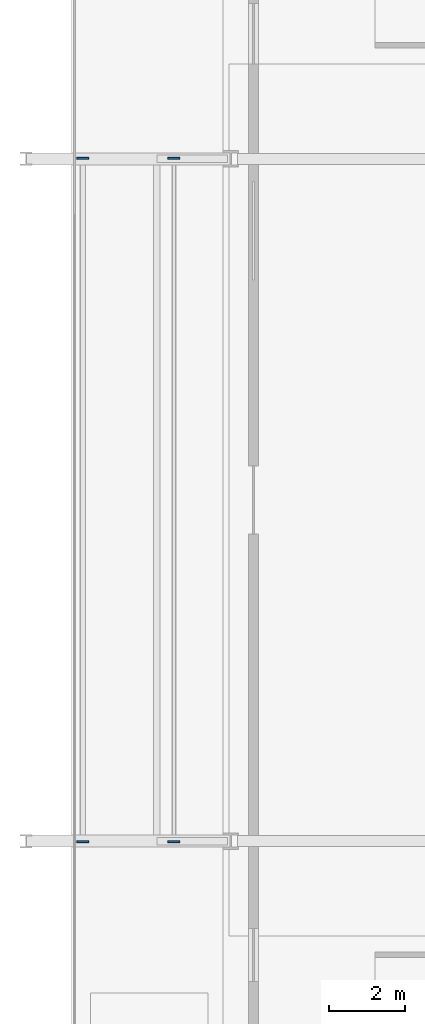
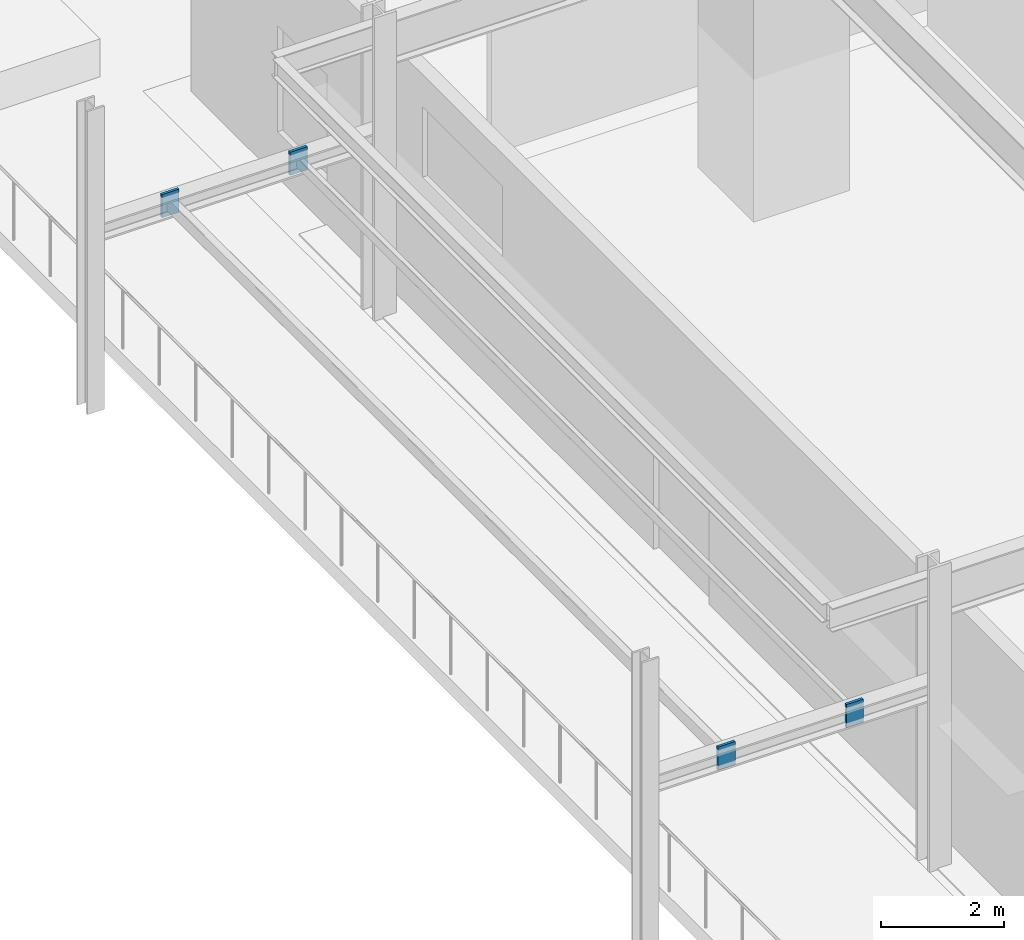
# One storey, part 4 of 14: 4 plates.
"""IFC4 building model written with IfcOpenShell, lengths in metres."""

import ifcopenshell
import ifcopenshell.guid

model = None  # the IFC model being written
_history = None  # IfcOwnerHistory: only IFC2X3 demands one
_inside = {}  # id of a spatial element -> (the spatial element, [elements in it])
_under = {}  # id of a project, library or spatial element -> (it, [spatial elements below it])
_declared = {}  # id of a project -> (the project, [libraries it declares])
_typed = {}  # id of a type object -> (the type object, [elements of that type])
_made_of = {}  # id of a material, layer set ... -> (it, [elements and type objects made of it])


def new_model(schema):
    """Start an empty IFC model of exactly this schema.

    Asked for "IFC4X3", IfcOpenShell would pick the latest addendum, in which some entities
    have other attributes; the version numbers below select the first issue.
    IFC2X3 requires an IfcOwnerHistory on every rooted entity: one is made here for all.
    """
    global model, _history
    if schema == "IFC4X3":
        model = ifcopenshell.file(schema_version=(4, 3, 0, 0))
    else:
        model = ifcopenshell.file(schema=schema)
    _inside.clear()
    _under.clear()
    _declared.clear()
    _typed.clear()
    _made_of.clear()
    _history = None
    if model.schema == "IFC2X3":
        org = make("IfcOrganization", Name="unknown")
        user = make(
            "IfcPersonAndOrganization",
            ThePerson=make("IfcPerson", FamilyName="unknown"),
            TheOrganization=org,
        )
        app = make(
            "IfcApplication",
            ApplicationDeveloper=org,
            Version="unknown",
            ApplicationFullName="unknown",
            ApplicationIdentifier="unknown",
        )
        _history = make(
            "IfcOwnerHistory",
            OwningUser=user,
            OwningApplication=app,
            ChangeAction="ADDED",
            CreationDate=0,
        )
    return model


def make(cls, **values):
    """One entity of the class cls with the attributes given. An attribute that is None is left unset."""
    return model.create_entity(
        cls, **{name: value for name, value in values.items() if value is not None}
    )


def rooted(cls, **values):
    """An entity with a GlobalId (a new one), such as an element, a storey or a relation."""
    return make(cls, GlobalId=ifcopenshell.guid.new(), OwnerHistory=_history, **values)


def si_unit(unit_type, name, prefix=None):
    """IfcSIUnit, for example si_unit("LENGTHUNIT", "METRE", prefix="MILLI")."""
    return make("IfcSIUnit", UnitType=unit_type, Prefix=prefix, Name=name)


def assignment(units):
    """IfcUnitAssignment: the units of a project."""
    return None if units is None else make("IfcUnitAssignment", Units=units)


def point(xyz):
    """IfcCartesianPoint."""
    return None if xyz is None else make("IfcCartesianPoint", Coordinates=xyz)


def direction(xyz):
    """IfcDirection."""
    return None if xyz is None else make("IfcDirection", DirectionRatios=xyz)


def frame(location, z_axis=None, x_axis=None):
    """IfcAxis2Placement3D, a coordinate frame: its origin and axes. An axis left out is left unset."""
    return make(
        "IfcAxis2Placement3D",
        Location=point(location),
        Axis=direction(z_axis),
        RefDirection=direction(x_axis),
    )


def frame_2d(location, x_axis=None):
    """IfcAxis2Placement2D, a coordinate frame in the plane: its origin and x axis."""
    return make(
        "IfcAxis2Placement2D", Location=point(location), RefDirection=direction(x_axis)
    )


def origin():
    """The frame at (0, 0, 0) with its axes left unset."""
    return frame((0.0, 0.0, 0.0))


def origin_2d():
    """The frame at (0, 0) in the plane with its x axis left unset."""
    return frame_2d((0.0, 0.0))


def place(relative_to, where):
    """IfcLocalPlacement: puts the frame where relative to a parent placement (None: the world)."""
    return make(
        "IfcLocalPlacement", PlacementRelTo=relative_to, RelativePlacement=where
    )


def context(
    kind, dimensions, precision=None, world=None, true_north=None, identifier=None
):
    """IfcGeometricRepresentationContext, for example the 3D "Model" context."""
    return make(
        "IfcGeometricRepresentationContext",
        ContextIdentifier=identifier,
        ContextType=kind,
        CoordinateSpaceDimension=dimensions,
        Precision=precision,
        WorldCoordinateSystem=world,
        TrueNorth=true_north,
    )


def subcontext(parent, identifier, kind, view, scale=None):
    """IfcGeometricRepresentationSubContext, for example "Body" below "Model"."""
    return make(
        "IfcGeometricRepresentationSubContext",
        ContextIdentifier=identifier,
        ContextType=kind,
        ParentContext=parent,
        TargetScale=scale,
        TargetView=view,
    )


def project(units=None, contexts=None):
    """IfcProject with its units and contexts."""
    return rooted(
        "IfcProject",
        Name="project",
        RepresentationContexts=contexts,
        UnitsInContext=assignment(units),
    )


def spatial(cls, under=None, at=None, **own):
    """A site, building, storey or space (cls), placed at a placement, below another one or the project."""
    s = rooted(cls, ObjectPlacement=at, **own)
    if under is not None:
        _under.setdefault(under.id(), (under, []))[1].append(s)
    return s


def profile(cls, at=None, kind="AREA", **sizes):
    """A parametric profile (cls). Its sizes go by their IFC names, for example OverallWidth=200.0."""
    return make(cls, ProfileType=kind, Position=at, **sizes)


def rectangle(**sizes):
    """IfcRectangleProfileDef."""
    return profile("IfcRectangleProfileDef", **sizes)


def extrude(swept, where, along, depth):
    """IfcExtrudedAreaSolid: the profile swept, set in the frame where, extruded along a direction by depth."""
    return make(
        "IfcExtrudedAreaSolid",
        SweptArea=swept,
        Position=where,
        ExtrudedDirection=direction(along),
        Depth=depth,
    )


def shape(context_of_items, identifier, shape_type, items):
    """IfcShapeRepresentation: the items that make up one representation, for example the "Body"."""
    return make(
        "IfcShapeRepresentation",
        ContextOfItems=context_of_items,
        RepresentationIdentifier=identifier,
        RepresentationType=shape_type,
        Items=items,
    )


def material(Name=None, Category=None):
    """IfcMaterial."""
    return make("IfcMaterial", Name=Name, Category=Category)


def layer(
    of_material, thickness, ventilated=None, Name=None, Category=None, Priority=None
):
    """IfcMaterialLayer: one layer of a wall or slab, of a material (None: an air gap)."""
    return make(
        "IfcMaterialLayer",
        Material=of_material,
        LayerThickness=thickness,
        IsVentilated=ventilated,
        Name=Name,
        Category=Category,
        Priority=Priority,
    )


def layer_set(layers, Name=None):
    """IfcMaterialLayerSet."""
    return make("IfcMaterialLayerSet", MaterialLayers=layers, LayerSetName=Name)


def made_of(thing, what):
    """Note that an element or type object is made of a material, layer set ...; save() writes the relation."""
    if what is not None:
        _made_of.setdefault(what.id(), (what, []))[1].append(thing)
    return thing


def type_object(cls, material=None, **own):
    """A type object (cls), such as IfcWallType, which elements share."""
    return made_of(rooted(cls, **own), material)


def element(
    cls,
    number,
    at=None,
    inside=None,
    cuts=None,
    type_object=None,
    material=None,
    context=None,
    identifier="Body",
    shape_type=None,
    held_by="IfcProductDefinitionShape",
    body=None,
    shapes=None,
    **own,
):
    """One element of the class cls, such as IfcWall. Its Tag is "e" and its number.

    at: its placement. inside: the storey or other place that contains it. cuts: it is an
    opening in that element (IfcRelVoidsElement). A single representation is given by context,
    identifier, shape_type and body (its items); several are given by shapes. held_by: the class
    of the entity that holds the representations. save() writes the other relations.
    """
    e = rooted(cls, Tag="e%d" % number, ObjectPlacement=at, **own)
    if body is not None:
        shapes = [shape(context, identifier, shape_type, body)]
    if shapes is not None:
        e.Representation = make(held_by, Representations=shapes)
    if inside is not None:
        _inside.setdefault(inside.id(), (inside, []))[1].append(e)
    if cuts is not None:
        rooted(
            "IfcRelVoidsElement", RelatingBuildingElement=cuts, RelatedOpeningElement=e
        )
    if type_object is not None:
        _typed.setdefault(type_object.id(), (type_object, []))[1].append(e)
    return made_of(e, material)


def aggregate(whole, parts):
    """IfcRelAggregates: a whole, such as a stair, and the parts it consists of."""
    return rooted("IfcRelAggregates", RelatingObject=whole, RelatedObjects=parts)


def save(model, path):
    """Write the relations noted so far, then the file.

    IfcRelAggregates (storeys below a building ...), IfcRelContainedInSpatialStructure (elements
    in a storey), IfcRelDefinesByType, IfcRelAssociatesMaterial and IfcRelDeclares: one each for
    every whole, place, type object, material and project.
    """
    for whole, parts in _under.values():
        aggregate(whole, parts)
    for where, things in _inside.values():
        rooted(
            "IfcRelContainedInSpatialStructure",
            RelatedElements=things,
            RelatingStructure=where,
        )
    for kind, things in _typed.values():
        rooted("IfcRelDefinesByType", RelatedObjects=things, RelatingType=kind)
    for what, things in _made_of.values():
        rooted("IfcRelAssociatesMaterial", RelatedObjects=things, RelatingMaterial=what)
    for by, libraries in _declared.values():
        rooted("IfcRelDeclares", RelatingContext=by, RelatedDefinitions=libraries)
    model.write(path)


model = new_model("IFC4")

# Units and contexts
model_context = context("Model", 3, precision=1e-05, world=origin(), true_north=direction((0.0, 1.0)))
body_context = subcontext(model_context, "Body", "Model", "MODEL_VIEW")
ifc_project = project(units=[si_unit("LENGTHUNIT", "METRE"), si_unit("AREAUNIT", "SQUARE_METRE"), si_unit("VOLUMEUNIT", "CUBIC_METRE"), si_unit("PLANEANGLEUNIT", "RADIAN"), si_unit("MASSUNIT", "GRAM", prefix="KILO")], contexts=[model_context])

# Site, building, storey
site_placement = place(None, origin())
site = spatial("IfcSite", under=ifc_project, at=site_placement, CompositionType="ELEMENT")
building_placement = place(site_placement, origin())
building = spatial("IfcBuilding", under=site, at=building_placement, Name="Kovane Verandah Tower", CompositionType="ELEMENT")
storey_placement = place(building_placement, frame((0.0, 0.0, 21.60009765625)))
storey = spatial("IfcBuildingStorey", under=building, at=storey_placement, Name="L04", CompositionType="ELEMENT", Elevation=21.60009765625)

# Plates
ifc_material = material(Name="Steel S460", Category="steel")
ifc_layer = layer(ifc_material, 0.050048828125)
ifc_layer_set = layer_set([ifc_layer], Name="Steel S460")
plate_type = type_object("IfcPlateType", Name="PL-CAP-50", PredefinedType="SHEET", material=ifc_layer_set)
for number, where, z_axis, x_axis, name in (
    (1, (10.300048828125, 18.47998046875, 3.27001953125), (0.0, 0.0, 1.0), (0.0, 1.0, 0.0), "GDN-PUR-W1-L04-P0"),
    (2, (10.300048828125, 36.52001953125, 3.27001953125), (0.0, 0.0, 1.0), (0.0, 1.0, 0.0), "GDN-PUR-W1-L04-P1"),
    (3, (12.699951171875, 18.47998046875, 3.27001953125), (0.0, 0.0, 1.0), (0.0, 1.0, 0.0), "GDN-PUR-W2-L04-P0"),
    (4, (12.699951171875, 36.52001953125, 3.27001953125), (0.0, 0.0, 1.0), (0.0, 1.0, 0.0), "GDN-PUR-W2-L04-P1"),
):
    element("IfcPlate", number, at=place(storey_placement, frame(where, z_axis=z_axis, x_axis=x_axis)), inside=storey, type_object=plate_type, Name=name, PredefinedType="SHEET", context=body_context, shape_type="SweptSolid", body=[
        extrude(rectangle(XDim=0.050048828125, YDim=0.320068359375, at=origin_2d()), origin(), (0.0, 0.0, 1.0), 0.4599609375),
    ])

save(model, "model.ifc")
